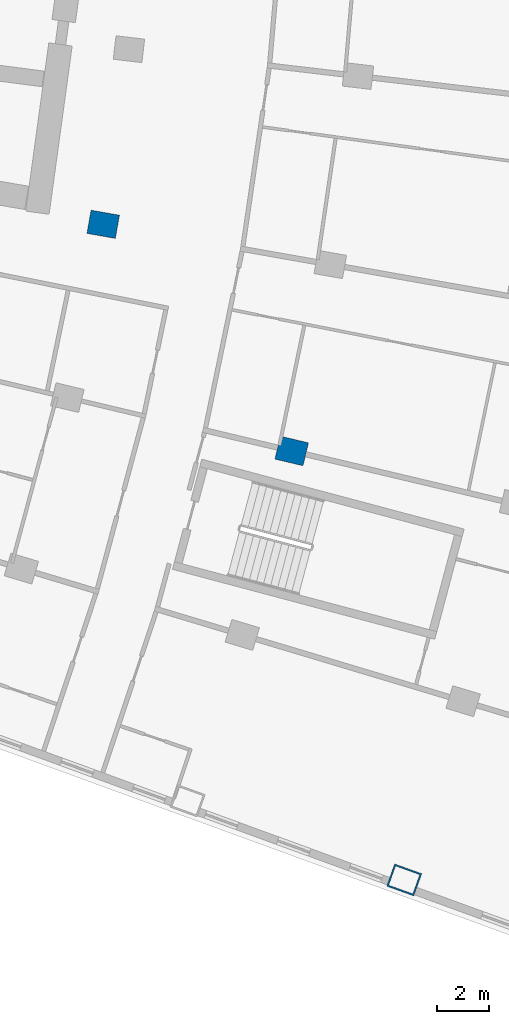
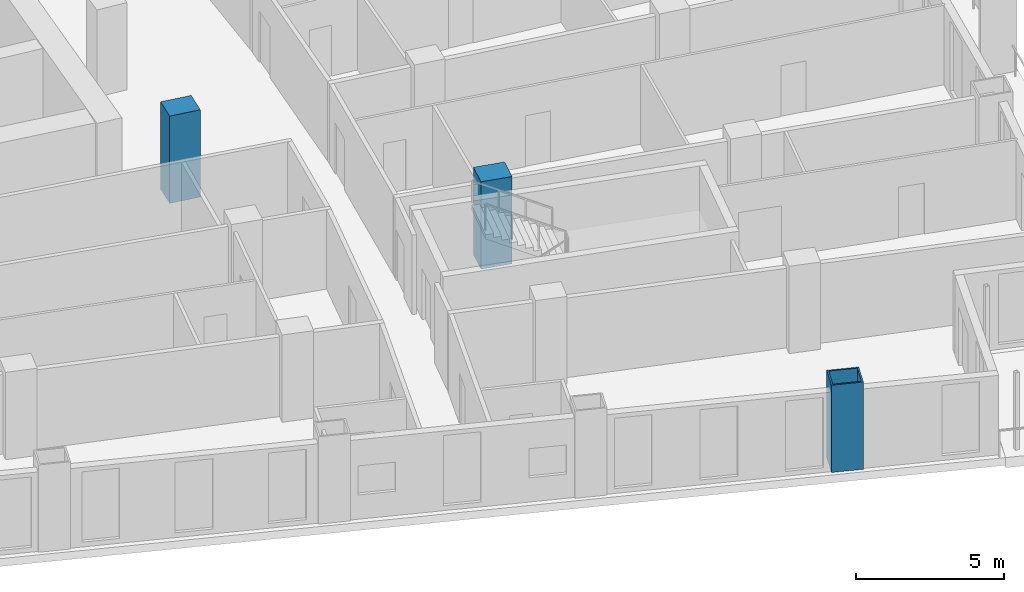
# One storey, part 4 of 25: 3 columns.
"""IFC4 building model written with IfcOpenShell, lengths in metres."""

from ifc_helpers import new_model, si_unit, direction, frame, origin, origin_2d, place, context, subcontext, project, spatial, rectangle, hollow_rectangle, extrude, material, material_profile, profile_set, type_object, element, save


model = new_model("IFC4")

# Units and contexts
model_context = context("Model", 3, precision=1e-05, world=origin(), true_north=direction((0.0, 1.0)))
body_context = subcontext(model_context, "Body", "Model", "MODEL_VIEW")
ifc_project = project(units=[si_unit("LENGTHUNIT", "METRE"), si_unit("AREAUNIT", "SQUARE_METRE"), si_unit("VOLUMEUNIT", "CUBIC_METRE"), si_unit("PLANEANGLEUNIT", "RADIAN"), si_unit("MASSUNIT", "GRAM", prefix="KILO")], contexts=[model_context])

# Site, building, storey
site_placement = place(None, origin())
site = spatial("IfcSite", under=ifc_project, at=site_placement, CompositionType="ELEMENT")
building_placement = place(site_placement, origin())
building = spatial("IfcBuilding", under=site, at=building_placement, Name="Alderwake Tower", CompositionType="ELEMENT")
storey_placement = place(building_placement, frame((0.0, 0.0, 68.0)))
storey = spatial("IfcBuildingStorey", under=building, at=storey_placement, Name="L16", CompositionType="ELEMENT", Elevation=68.0)

# Columns
ifc_material_1 = material(Name="Steel ASTM A572 Grade 50 concrete filled C70/85", Category="concrete")
ifc_material_profile_1 = material_profile(ifc_material_1, hollow_rectangle(XDim=0.89990234375, YDim=1.10009765625, WallThickness=0.06005859375, at=origin_2d()), Name="BOX 1100X900X60")
ifc_profile_set_1 = profile_set([ifc_material_profile_1], Name="Steel ASTM A572 Grade 50 concrete filled C70/85")
column_type_1 = type_object("IfcColumnType", Name="End column Z1", PredefinedType="COLUMN", material=ifc_profile_set_1)
column_placement = place(storey_placement, frame((45.516845703125, 15.821533203125, 0.0), z_axis=(0.0, 0.0, 1.0), x_axis=(0.338668949173, 0.940905597213, 0.0)))
element("IfcColumn", 1, at=column_placement, inside=storey, type_object=column_type_1, Name="Column R01-C4", PredefinedType="COLUMN", context=body_context, shape_type="SweptSolid", body=[
    extrude(hollow_rectangle(XDim=0.89990234375, YDim=1.10009765625, WallThickness=0.06005859375, at=origin_2d()), origin(), (0.0, 0.0, 1.0), 3.60009765625),
])
ifc_material_2 = material(Name="Concrete C70/85", Category="concrete")
ifc_material_profile_2 = material_profile(ifc_material_2, rectangle(XDim=0.89990234375, YDim=1.10009765625, at=origin_2d()), Name="RC 1100X900")
ifc_profile_set_2 = profile_set([ifc_material_profile_2], Name="Concrete C70/85")
column_type_2 = type_object("IfcColumnType", Name="Interior column Z1", PredefinedType="COLUMN", material=ifc_profile_set_2)
for number, where, z_axis, x_axis, name in (
    (2, (41.223388671875, 32.189697265625, 0.0), (0.0, 0.0, 1.0), (0.231221547198, 0.972901123502, 0.0), "Column R03-C3"),
    (3, (34.03125, 40.83837890625, 0.0), (0.0, 0.0, 1.0), (0.174108800747, 0.984726421654, 0.0), "Column R04-C2"),
):
    element("IfcColumn", number, at=place(storey_placement, frame(where, z_axis=z_axis, x_axis=x_axis)), inside=storey, type_object=column_type_2, Name=name, PredefinedType="COLUMN", context=body_context, shape_type="SweptSolid", body=[
        extrude(rectangle(XDim=0.89990234375, YDim=1.10009765625, at=origin_2d()), origin(), (0.0, 0.0, 1.0), 3.60009765625),
    ])

save(model, "model.ifc")
